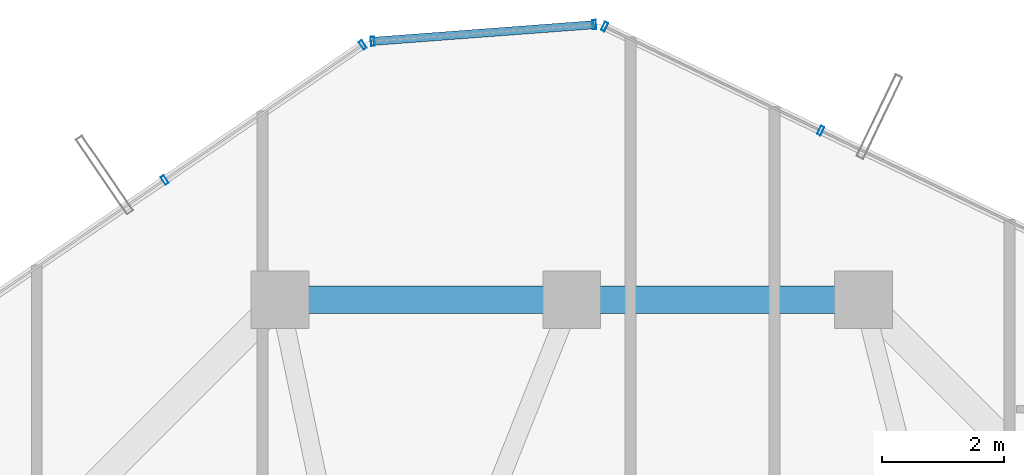
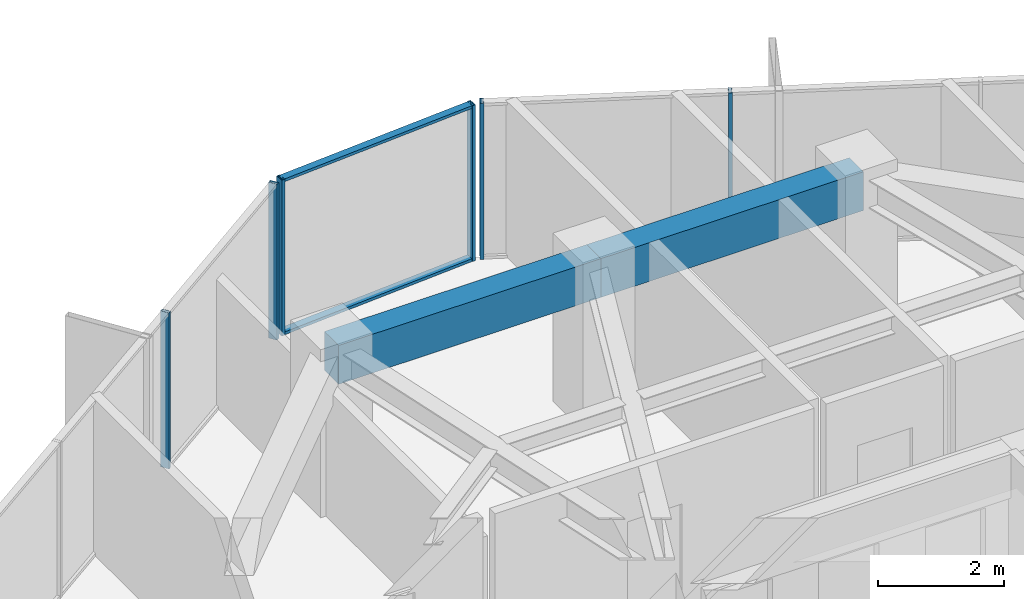
# One storey, part 25 of 34: 8 members, 2 beams, 3 elements without a shape of their own.
"""IFC4 building model written with IfcOpenShell, lengths in metres."""

from ifc_helpers import new_model, si_unit, direction, frame, origin, origin_2d, place, context, subcontext, project, spatial, rectangle, hollow_rectangle, extrude, source, transform, mapped, material, layer, layer_set, material_profile, profile_set, type_object, element, aggregate, save


model = new_model("IFC4")

# Units and contexts
model_context = context("Model", 3, precision=1e-05, world=origin(), true_north=direction((0.0, 1.0)))
body_context = subcontext(model_context, "Body", "Model", "MODEL_VIEW")
ifc_project = project(units=[si_unit("LENGTHUNIT", "METRE"), si_unit("AREAUNIT", "SQUARE_METRE"), si_unit("VOLUMEUNIT", "CUBIC_METRE"), si_unit("PLANEANGLEUNIT", "RADIAN"), si_unit("MASSUNIT", "GRAM", prefix="KILO")], contexts=[model_context])

# Site, building, storey
site_placement = place(None, origin())
site = spatial("IfcSite", under=ifc_project, at=site_placement, CompositionType="ELEMENT")
building_placement = place(site_placement, origin())
building = spatial("IfcBuilding", under=site, at=building_placement, Name="Veraguas Prism Commons", CompositionType="ELEMENT")
storey_placement = place(building_placement, frame((0.0, 0.0, 191.85009765625)))
storey = spatial("IfcBuildingStorey", under=building, at=storey_placement, Name="L54", CompositionType="ELEMENT", Elevation=191.85009765625)

# Beams
ifc_material_1 = material(Name="Concrete C50/60", Category="concrete")
ifc_material_profile_1 = material_profile(ifc_material_1, rectangle(XDim=0.449951171875, YDim=0.75, at=origin_2d()), Name="RC450X750")
ifc_profile_set_1 = profile_set([ifc_material_profile_1], Name="Concrete C50/60")
beam_type = type_object("IfcBeamType", Name="Perimeter Spandrel Upper RC 450x750", PredefinedType="SPANDREL", material=ifc_profile_set_1)
for number, where, z_axis, x_axis, name in (
    (1, (28.800048828125, 38.89990234375, 2.639892578125), (-1.0, 0.0, 0.0), (0.0, -1.0, 0.0), "Perimeter Spandrel Beam L54-SP04"),
    (2, (24.0, 38.89990234375, 2.639892578125), (-1.0, 0.0, 0.0), (0.0, -1.0, 0.0), "Perimeter Spandrel Beam L54-SP05"),
):
    element("IfcBeam", number, at=place(storey_placement, frame(where, z_axis=z_axis, x_axis=x_axis)), inside=storey, type_object=beam_type, Name=name, PredefinedType="SPANDREL", context=body_context, shape_type="SweptSolid", body=[
        extrude(rectangle(XDim=0.449951171875, YDim=0.75, at=origin_2d()), origin(), (0.0, 0.0, 1.0), 4.800048828125),
    ])

# Curtain wall, members
ifc_material_2 = material(Name="Anodised aluminium EN AW-6063 T6", Category="aluminium")
ifc_layer = layer(ifc_material_2, 0.14990234375, Name="Unitised Flush Curtain Wall Zone 3", Category="aluminium")
ifc_layer_set = layer_set([ifc_layer], Name="Anodised aluminium EN AW-6063 T6")
curtain_wall_type = type_object("IfcCurtainWallType", Name="Unitised Flush Curtain Wall Zone 3", PredefinedType="NOTDEFINED", material=ifc_layer_set)
curtain_wall_1_placement = place(storey_placement, origin())
curtain_wall_1 = element("IfcCurtainWall", 3, at=curtain_wall_1_placement, inside=storey, type_object=curtain_wall_type, Name="Tower Facade Curtain Wall L54-F1", PredefinedType="NOTDEFINED")
ifc_material_profile_2 = material_profile(ifc_material_2, hollow_rectangle(XDim=0.06005859375, YDim=0.14990234375, WallThickness=0.0029296875, at=origin_2d()), Name="AL60X150X3")
ifc_profile_set_2 = profile_set([ifc_material_profile_2], Name="Anodised aluminium EN AW-6063 T6")
member_type_1 = type_object("IfcMemberType", Name="Curtain Wall Mullion Upper AL 60x150x3", PredefinedType="MULLION", material=ifc_profile_set_2)
shared_shape_1 = source(origin(), body_context, "Body", "SweptSolid", [
    extrude(hollow_rectangle(XDim=0.06005859375, YDim=0.14990234375, WallThickness=0.0029296875, at=origin_2d()), origin(), (0.0, 0.0, 1.0), 3.014892578125),
])
member_1_placement = place(storey_placement, frame((28.097900390625, 41.682373046875, 0.0), z_axis=(0.0, 0.0, 1.0), x_axis=(-0.901073993789, 0.433665375281, 0.0)))
member_1 = element("IfcMember", 4, at=member_1_placement, type_object=member_type_1, Name="CW-Z3 Mullion 4", PredefinedType="MULLION", context=body_context, shape_type="MappedRepresentation", body=[
    mapped(shared_shape_1, transform((0.0, 0.0, 0.0), scale=1.0)),
])
member_2_placement = place(storey_placement, frame((24.542724609375, 43.393310546875, 0.0), z_axis=(0.0, 0.0, 1.0), x_axis=(-0.901073993789, 0.433665375281, 0.0)))
member_2 = element("IfcMember", 5, at=member_2_placement, type_object=member_type_1, Name="CW-Z3 Mullion 5", PredefinedType="MULLION", context=body_context, shape_type="MappedRepresentation", body=[
    mapped(shared_shape_1, transform((0.0, 0.0, 0.0), scale=1.0)),
])
aggregate(curtain_wall_1, [member_1, member_2])

curtain_wall_2_placement = place(storey_placement, origin())
curtain_wall_2 = element("IfcCurtainWall", 6, at=curtain_wall_2_placement, inside=storey, type_object=curtain_wall_type, Name="Tower Facade Curtain Wall L54-F2", PredefinedType="NOTDEFINED")
member_3_placement = place(storey_placement, frame((20.5634765625, 43.09423828125, 0.0), z_axis=(0.0, 0.0, 1.0), x_axis=(-0.826095343869, -0.56353037437, 0.0)))
member_3 = element("IfcMember", 7, at=member_3_placement, type_object=member_type_1, Name="CW-Z3 Mullion 1", PredefinedType="MULLION", context=body_context, shape_type="MappedRepresentation", body=[
    mapped(shared_shape_1, transform((0.0, 0.0, 0.0), scale=1.0)),
])
member_4_placement = place(storey_placement, frame((17.303955078125, 40.87060546875, 0.0), z_axis=(0.0, 0.0, 1.0), x_axis=(-0.826095343869, -0.56353037437, 0.0)))
member_4 = element("IfcMember", 8, at=member_4_placement, type_object=member_type_1, Name="CW-Z3 Mullion 2", PredefinedType="MULLION", context=body_context, shape_type="MappedRepresentation", body=[
    mapped(shared_shape_1, transform((0.0, 0.0, 0.0), scale=1.0)),
])
aggregate(curtain_wall_2, [member_3, member_4])

curtain_wall_3_placement = place(storey_placement, origin())
curtain_wall_3 = element("IfcCurtainWall", 9, at=curtain_wall_3_placement, inside=storey, type_object=curtain_wall_type, Name="Chamfer Curtain Wall L54-C2", PredefinedType="NOTDEFINED")
member_5_placement = place(storey_placement, frame((24.371826171875, 43.425537109375, 0.0), z_axis=(0.0, 0.0, 1.0), x_axis=(-0.997185264386, -0.07497698641, 0.0)))
member_5 = element("IfcMember", 10, at=member_5_placement, type_object=member_type_1, Name="CW-Z3 Mullion 1", PredefinedType="MULLION", context=body_context, shape_type="MappedRepresentation", body=[
    mapped(shared_shape_1, transform((0.0, 0.0, 0.0), scale=1.0)),
])
member_6_placement = place(storey_placement, frame((20.7275390625, 43.151611328125, 0.0), z_axis=(0.0, 0.0, 1.0), x_axis=(-0.997185264386, -0.07497698641, 0.0)))
member_6 = element("IfcMember", 11, at=member_6_placement, type_object=member_type_1, Name="CW-Z3 Mullion 2", PredefinedType="MULLION", context=body_context, shape_type="MappedRepresentation", body=[
    mapped(shared_shape_1, transform((0.0, 0.0, 0.0), scale=1.0)),
])
ifc_material_profile_3 = material_profile(ifc_material_2, hollow_rectangle(XDim=0.054931640625, YDim=0.135009765625, WallThickness=0.0029296875, at=origin_2d()), Name="AL55X135X3")
ifc_profile_set_3 = profile_set([ifc_material_profile_3], Name="Anodised aluminium EN AW-6063 T6")
member_type_2 = type_object("IfcMemberType", Name="Curtain Wall Transom Standard AL 55x135x3", PredefinedType="USERDEFINED", material=ifc_profile_set_3)
shared_shape_2 = source(origin(), body_context, "Body", "SweptSolid", [
    extrude(hollow_rectangle(XDim=0.054931640625, YDim=0.135009765625, WallThickness=0.0029296875, at=origin_2d()), origin(), (0.0, 0.0, 1.0), 3.654541015625),
])
member_7_placement = place(storey_placement, frame((24.371826171875, 43.425537109375, 0.02734375), z_axis=(-0.997186965159, -0.074954362893, 0.0), x_axis=(0.0, 0.0, 1.0)))
member_7 = element("IfcMember", 12, at=member_7_placement, type_object=member_type_2, Name="CW-Z3 Transom 1", ObjectType="TRANSOM", PredefinedType="USERDEFINED", context=body_context, shape_type="MappedRepresentation", body=[
    mapped(shared_shape_2, transform((0.0, 0.0, 0.0), scale=1.0)),
])
member_8_placement = place(storey_placement, frame((24.371826171875, 43.425537109375, 2.9873046875), z_axis=(-0.997186965159, -0.074954362893, 0.0), x_axis=(0.0, 0.0, 1.0)))
member_8 = element("IfcMember", 13, at=member_8_placement, type_object=member_type_2, Name="CW-Z3 Transom 2", ObjectType="TRANSOM", PredefinedType="USERDEFINED", context=body_context, shape_type="MappedRepresentation", body=[
    mapped(shared_shape_2, transform((0.0, 0.0, 0.0), scale=1.0)),
])
aggregate(curtain_wall_3, [member_5, member_6, member_7, member_8])

save(model, "model.ifc")
